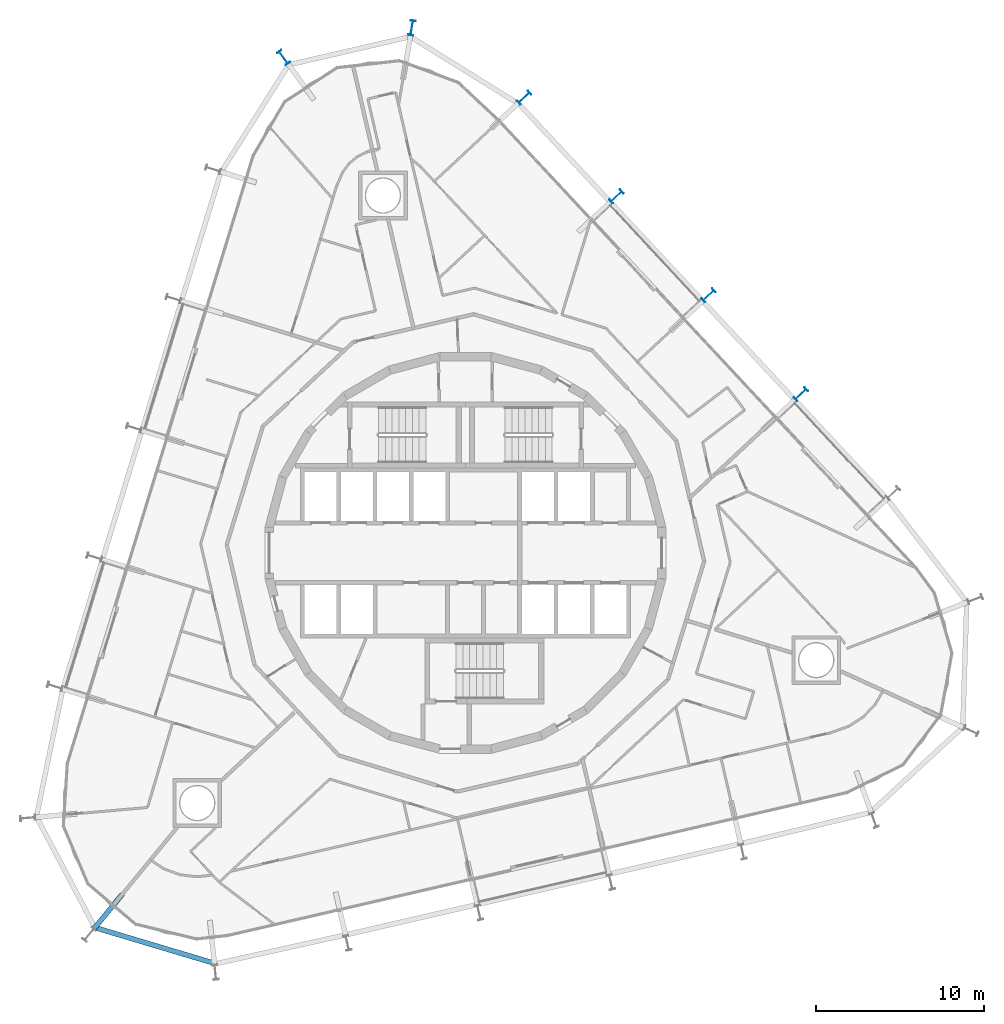
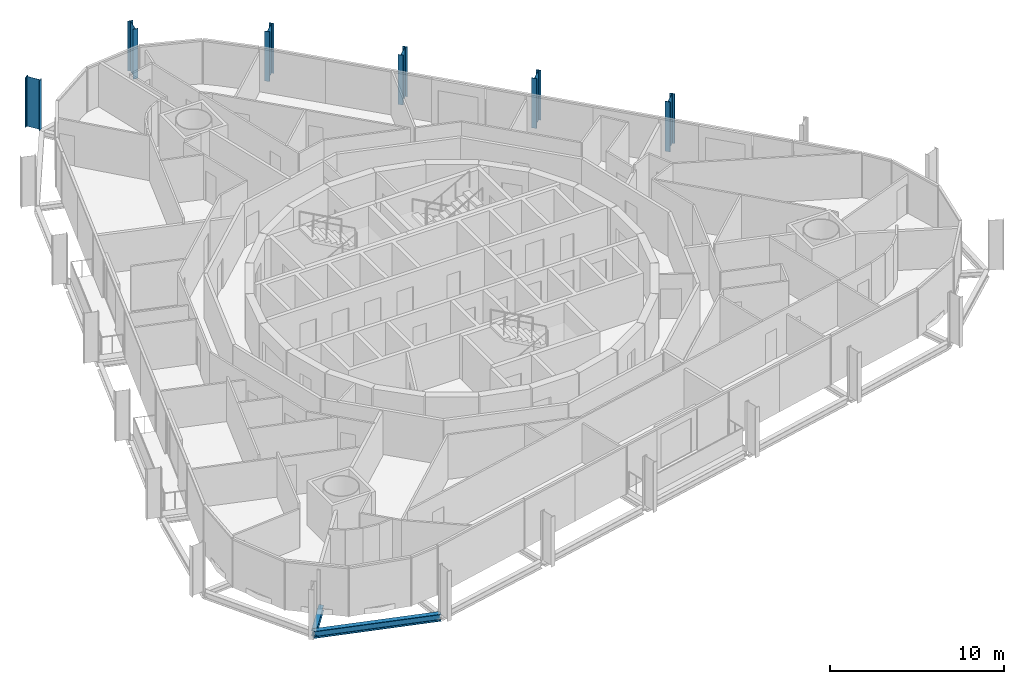
# One storey, part 2 of 18: 6 columns, 2 beams.
"""IFC4 building model written with IfcOpenShell, lengths in metres."""

import ifcopenshell
import ifcopenshell.guid

model = None  # the IFC model being written
_history = None  # IfcOwnerHistory: only IFC2X3 demands one
_inside = {}  # id of a spatial element -> (the spatial element, [elements in it])
_under = {}  # id of a project, library or spatial element -> (it, [spatial elements below it])
_declared = {}  # id of a project -> (the project, [libraries it declares])
_typed = {}  # id of a type object -> (the type object, [elements of that type])
_made_of = {}  # id of a material, layer set ... -> (it, [elements and type objects made of it])


def new_model(schema):
    """Start an empty IFC model of exactly this schema.

    Asked for "IFC4X3", IfcOpenShell would pick the latest addendum, in which some entities
    have other attributes; the version numbers below select the first issue.
    IFC2X3 requires an IfcOwnerHistory on every rooted entity: one is made here for all.
    """
    global model, _history
    if schema == "IFC4X3":
        model = ifcopenshell.file(schema_version=(4, 3, 0, 0))
    else:
        model = ifcopenshell.file(schema=schema)
    _inside.clear()
    _under.clear()
    _declared.clear()
    _typed.clear()
    _made_of.clear()
    _history = None
    if model.schema == "IFC2X3":
        org = make("IfcOrganization", Name="unknown")
        user = make(
            "IfcPersonAndOrganization",
            ThePerson=make("IfcPerson", FamilyName="unknown"),
            TheOrganization=org,
        )
        app = make(
            "IfcApplication",
            ApplicationDeveloper=org,
            Version="unknown",
            ApplicationFullName="unknown",
            ApplicationIdentifier="unknown",
        )
        _history = make(
            "IfcOwnerHistory",
            OwningUser=user,
            OwningApplication=app,
            ChangeAction="ADDED",
            CreationDate=0,
        )
    return model


def make(cls, **values):
    """One entity of the class cls with the attributes given. An attribute that is None is left unset."""
    return model.create_entity(
        cls, **{name: value for name, value in values.items() if value is not None}
    )


def rooted(cls, **values):
    """An entity with a GlobalId (a new one), such as an element, a storey or a relation."""
    return make(cls, GlobalId=ifcopenshell.guid.new(), OwnerHistory=_history, **values)


def si_unit(unit_type, name, prefix=None):
    """IfcSIUnit, for example si_unit("LENGTHUNIT", "METRE", prefix="MILLI")."""
    return make("IfcSIUnit", UnitType=unit_type, Prefix=prefix, Name=name)


def assignment(units):
    """IfcUnitAssignment: the units of a project."""
    return None if units is None else make("IfcUnitAssignment", Units=units)


def point(xyz):
    """IfcCartesianPoint."""
    return None if xyz is None else make("IfcCartesianPoint", Coordinates=xyz)


def direction(xyz):
    """IfcDirection."""
    return None if xyz is None else make("IfcDirection", DirectionRatios=xyz)


def frame(location, z_axis=None, x_axis=None):
    """IfcAxis2Placement3D, a coordinate frame: its origin and axes. An axis left out is left unset."""
    return make(
        "IfcAxis2Placement3D",
        Location=point(location),
        Axis=direction(z_axis),
        RefDirection=direction(x_axis),
    )


def frame_2d(location, x_axis=None):
    """IfcAxis2Placement2D, a coordinate frame in the plane: its origin and x axis."""
    return make(
        "IfcAxis2Placement2D", Location=point(location), RefDirection=direction(x_axis)
    )


def origin():
    """The frame at (0, 0, 0) with its axes left unset."""
    return frame((0.0, 0.0, 0.0))


def origin_2d():
    """The frame at (0, 0) in the plane with its x axis left unset."""
    return frame_2d((0.0, 0.0))


def place(relative_to, where):
    """IfcLocalPlacement: puts the frame where relative to a parent placement (None: the world)."""
    return make(
        "IfcLocalPlacement", PlacementRelTo=relative_to, RelativePlacement=where
    )


def context(
    kind, dimensions, precision=None, world=None, true_north=None, identifier=None
):
    """IfcGeometricRepresentationContext, for example the 3D "Model" context."""
    return make(
        "IfcGeometricRepresentationContext",
        ContextIdentifier=identifier,
        ContextType=kind,
        CoordinateSpaceDimension=dimensions,
        Precision=precision,
        WorldCoordinateSystem=world,
        TrueNorth=true_north,
    )


def subcontext(parent, identifier, kind, view, scale=None):
    """IfcGeometricRepresentationSubContext, for example "Body" below "Model"."""
    return make(
        "IfcGeometricRepresentationSubContext",
        ContextIdentifier=identifier,
        ContextType=kind,
        ParentContext=parent,
        TargetScale=scale,
        TargetView=view,
    )


def project(units=None, contexts=None):
    """IfcProject with its units and contexts."""
    return rooted(
        "IfcProject",
        Name="project",
        RepresentationContexts=contexts,
        UnitsInContext=assignment(units),
    )


def spatial(cls, under=None, at=None, **own):
    """A site, building, storey or space (cls), placed at a placement, below another one or the project."""
    s = rooted(cls, ObjectPlacement=at, **own)
    if under is not None:
        _under.setdefault(under.id(), (under, []))[1].append(s)
    return s


def profile(cls, at=None, kind="AREA", **sizes):
    """A parametric profile (cls). Its sizes go by their IFC names, for example OverallWidth=200.0."""
    return make(cls, ProfileType=kind, Position=at, **sizes)


def i_section(**sizes):
    """IfcIShapeProfileDef."""
    return profile("IfcIShapeProfileDef", **sizes)


def extrude(swept, where, along, depth):
    """IfcExtrudedAreaSolid: the profile swept, set in the frame where, extruded along a direction by depth."""
    return make(
        "IfcExtrudedAreaSolid",
        SweptArea=swept,
        Position=where,
        ExtrudedDirection=direction(along),
        Depth=depth,
    )


def shape(context_of_items, identifier, shape_type, items):
    """IfcShapeRepresentation: the items that make up one representation, for example the "Body"."""
    return make(
        "IfcShapeRepresentation",
        ContextOfItems=context_of_items,
        RepresentationIdentifier=identifier,
        RepresentationType=shape_type,
        Items=items,
    )


def material(Name=None, Category=None):
    """IfcMaterial."""
    return make("IfcMaterial", Name=Name, Category=Category)


def material_profile(
    of_material, cross_section, Name=None, Category=None, Priority=None
):
    """IfcMaterialProfile: a cross section and its material."""
    return make(
        "IfcMaterialProfile",
        Name=Name,
        Material=of_material,
        Profile=cross_section,
        Priority=Priority,
        Category=Category,
    )


def profile_set(profiles, Name=None, composite=None):
    """IfcMaterialProfileSet."""
    return make(
        "IfcMaterialProfileSet",
        Name=Name,
        MaterialProfiles=profiles,
        CompositeProfile=composite,
    )


def made_of(thing, what):
    """Note that an element or type object is made of a material, layer set ...; save() writes the relation."""
    if what is not None:
        _made_of.setdefault(what.id(), (what, []))[1].append(thing)
    return thing


def type_object(cls, material=None, **own):
    """A type object (cls), such as IfcWallType, which elements share."""
    return made_of(rooted(cls, **own), material)


def element(
    cls,
    number,
    at=None,
    inside=None,
    cuts=None,
    type_object=None,
    material=None,
    context=None,
    identifier="Body",
    shape_type=None,
    held_by="IfcProductDefinitionShape",
    body=None,
    shapes=None,
    **own,
):
    """One element of the class cls, such as IfcWall. Its Tag is "e" and its number.

    at: its placement. inside: the storey or other place that contains it. cuts: it is an
    opening in that element (IfcRelVoidsElement). A single representation is given by context,
    identifier, shape_type and body (its items); several are given by shapes. held_by: the class
    of the entity that holds the representations. save() writes the other relations.
    """
    e = rooted(cls, Tag="e%d" % number, ObjectPlacement=at, **own)
    if body is not None:
        shapes = [shape(context, identifier, shape_type, body)]
    if shapes is not None:
        e.Representation = make(held_by, Representations=shapes)
    if inside is not None:
        _inside.setdefault(inside.id(), (inside, []))[1].append(e)
    if cuts is not None:
        rooted(
            "IfcRelVoidsElement", RelatingBuildingElement=cuts, RelatedOpeningElement=e
        )
    if type_object is not None:
        _typed.setdefault(type_object.id(), (type_object, []))[1].append(e)
    return made_of(e, material)


def aggregate(whole, parts):
    """IfcRelAggregates: a whole, such as a stair, and the parts it consists of."""
    return rooted("IfcRelAggregates", RelatingObject=whole, RelatedObjects=parts)


def save(model, path):
    """Write the relations noted so far, then the file.

    IfcRelAggregates (storeys below a building ...), IfcRelContainedInSpatialStructure (elements
    in a storey), IfcRelDefinesByType, IfcRelAssociatesMaterial and IfcRelDeclares: one each for
    every whole, place, type object, material and project.
    """
    for whole, parts in _under.values():
        aggregate(whole, parts)
    for where, things in _inside.values():
        rooted(
            "IfcRelContainedInSpatialStructure",
            RelatedElements=things,
            RelatingStructure=where,
        )
    for kind, things in _typed.values():
        rooted("IfcRelDefinesByType", RelatedObjects=things, RelatingType=kind)
    for what, things in _made_of.values():
        rooted("IfcRelAssociatesMaterial", RelatedObjects=things, RelatingMaterial=what)
    for by, libraries in _declared.values():
        rooted("IfcRelDeclares", RelatingContext=by, RelatedDefinitions=libraries)
    model.write(path)


model = new_model("IFC4")

# Units and contexts
model_context = context("Model", 3, precision=1e-05, world=origin(), true_north=direction((0.0, 1.0)))
body_context = subcontext(model_context, "Body", "Model", "MODEL_VIEW")
ifc_project = project(units=[si_unit("LENGTHUNIT", "METRE"), si_unit("AREAUNIT", "SQUARE_METRE"), si_unit("VOLUMEUNIT", "CUBIC_METRE"), si_unit("PLANEANGLEUNIT", "RADIAN"), si_unit("MASSUNIT", "GRAM", prefix="KILO")], contexts=[model_context])

# Site, building, storey
site_placement = place(None, origin())
site = spatial("IfcSite", under=ifc_project, at=site_placement, CompositionType="ELEMENT")
building_placement = place(site_placement, origin())
building = spatial("IfcBuilding", under=site, at=building_placement, Name="Spindle Arch Residences", CompositionType="ELEMENT")
storey_placement = place(building_placement, frame((0.0, 0.0, 123.89990234375)))
storey = spatial("IfcBuildingStorey", under=building, at=storey_placement, Name="L30", CompositionType="ELEMENT", Elevation=123.89990234375)

# Columns
ifc_material_1 = material(Name="Steel S460ML, intumescent coating R 240", Category="steel")
ifc_material_profile_1 = material_profile(ifc_material_1, i_section(OverallWidth=0.300048828125, OverallDepth=0.89990234375, WebThickness=0.0185546875, FlangeThickness=0.034912109375, FilletRadius=0.030029296875, at=origin_2d()), Name="HEB 900")
ifc_profile_set_1 = profile_set([ifc_material_profile_1], Name="Steel S460ML, intumescent coating R 240")
column_type = type_object("IfcColumnType", Name="Exoskeleton post HEB 900", PredefinedType="COLUMN", material=ifc_profile_set_1)
for number, where, z_axis, x_axis, name in (
    (1, (19.9150390625, 9.42236328125, -0.3798828125), (0.0, 0.0, 1.0), (0.68199801865, -0.731354019992, 0.0), "Exoskeleton post 7"),
    (2, (14.439208984375, 15.29443359375, -0.3798828125), (0.0, 0.0, 1.0), (0.68199801865, -0.731354019992, 0.0), "Exoskeleton post 8"),
    (3, (8.963134765625, 21.16650390625, -0.3798828125), (0.0, 0.0, 1.0), (0.68199801865, -0.731354019992, 0.0), "Exoskeleton post 9"),
    (4, (3.4873046875, 27.038818359375, -0.3798828125), (0.0, 0.0, 1.0), (0.68199801865, -0.731354019992, 0.0), "Exoskeleton post 10"),
    (5, (-3.185302734375, 31.177001953125, -0.3798828125), (0.0, 0.0, 1.0), (0.985484585876, -0.169764928655, 0.0), "Exoskeleton post 11"),
    (6, (-10.80419921875, 29.41796875, -0.3798828125), (0.0, 0.0, 1.0), (0.811328097008, 0.584591069898, 0.0), "Exoskeleton post 12"),
):
    element("IfcColumn", number, at=place(storey_placement, frame(where, z_axis=z_axis, x_axis=x_axis)), inside=storey, type_object=column_type, Name=name, PredefinedType="COLUMN", context=body_context, shape_type="SweptSolid", body=[
        extrude(i_section(OverallWidth=0.300048828125, OverallDepth=0.89990234375, WebThickness=0.0185546875, FlangeThickness=0.034912109375, FilletRadius=0.030029296875, at=origin_2d()), origin(), (0.0, 0.0, 1.0), 3.5),
    ])

# Beams
ifc_material_2 = material(Name="Steel S460ML, intumescent coating R 120", Category="steel")
ifc_material_profile_2 = material_profile(ifc_material_2, i_section(OverallWidth=0.300048828125, OverallDepth=0.5, WebThickness=0.014404296875, FlangeThickness=0.028076171875, FilletRadius=0.027099609375, at=origin_2d()), Name="HEB 500")
ifc_profile_set_2 = profile_set([ifc_material_profile_2], Name="Steel S460ML, intumescent coating R 120")
beam_type_1 = type_object("IfcBeamType", Name="Exoskeleton edge beam HEB 500", PredefinedType="BEAM", material=ifc_profile_set_2)
beam_1_placement = place(storey_placement, frame((-22.077392578125, -22.2265625, -0.6298828125), z_axis=(0.95815808572, -0.286239554865, 0.0), x_axis=(0.286239554865, 0.95815808572, 0.0)))
element("IfcBeam", 7, at=beam_1_placement, inside=storey, type_object=beam_type_1, Name="Exoskeleton edge beam 19", PredefinedType="BEAM", context=body_context, shape_type="SweptSolid", body=[
    extrude(i_section(OverallWidth=0.300048828125, OverallDepth=0.5, WebThickness=0.014404296875, FlangeThickness=0.028076171875, FilletRadius=0.027099609375, at=origin_2d()), origin(), (0.0, 0.0, 1.0), 7.5595703125),
])
ifc_material_3 = material(Name="Steel S460ML, intumescent coating R 120", Category="steel")
ifc_material_profile_3 = material_profile(ifc_material_3, i_section(OverallWidth=0.300048828125, OverallDepth=0.389892578125, WebThickness=0.010986328125, FlangeThickness=0.01904296875, FilletRadius=0.027099609375, at=origin_2d()), Name="HEA 400")
ifc_profile_set_3 = profile_set([ifc_material_profile_3], Name="Steel S460ML, intumescent coating R 120")
beam_type_2 = type_object("IfcBeamType", Name="Floor outrigger HEA 400", PredefinedType="BEAM", material=ifc_profile_set_3)
beam_2_placement = place(storey_placement, frame((-22.056396484375, -22.31103515625, -0.574951171875), z_axis=(0.634821942797, 0.772658463323, 0.0), x_axis=(-0.772658463323, 0.634821942797, 0.0)))
element("IfcBeam", 8, at=beam_2_placement, inside=storey, type_object=beam_type_2, Name="Floor outrigger 19", PredefinedType="BEAM", context=body_context, shape_type="SweptSolid", body=[
    extrude(i_section(OverallWidth=0.300048828125, OverallDepth=0.389892578125, WebThickness=0.010986328125, FlangeThickness=0.01904296875, FilletRadius=0.027099609375, at=origin_2d()), origin(), (0.0, 0.0, 1.0), 2.649658203125),
])

save(model, "model.ifc")
